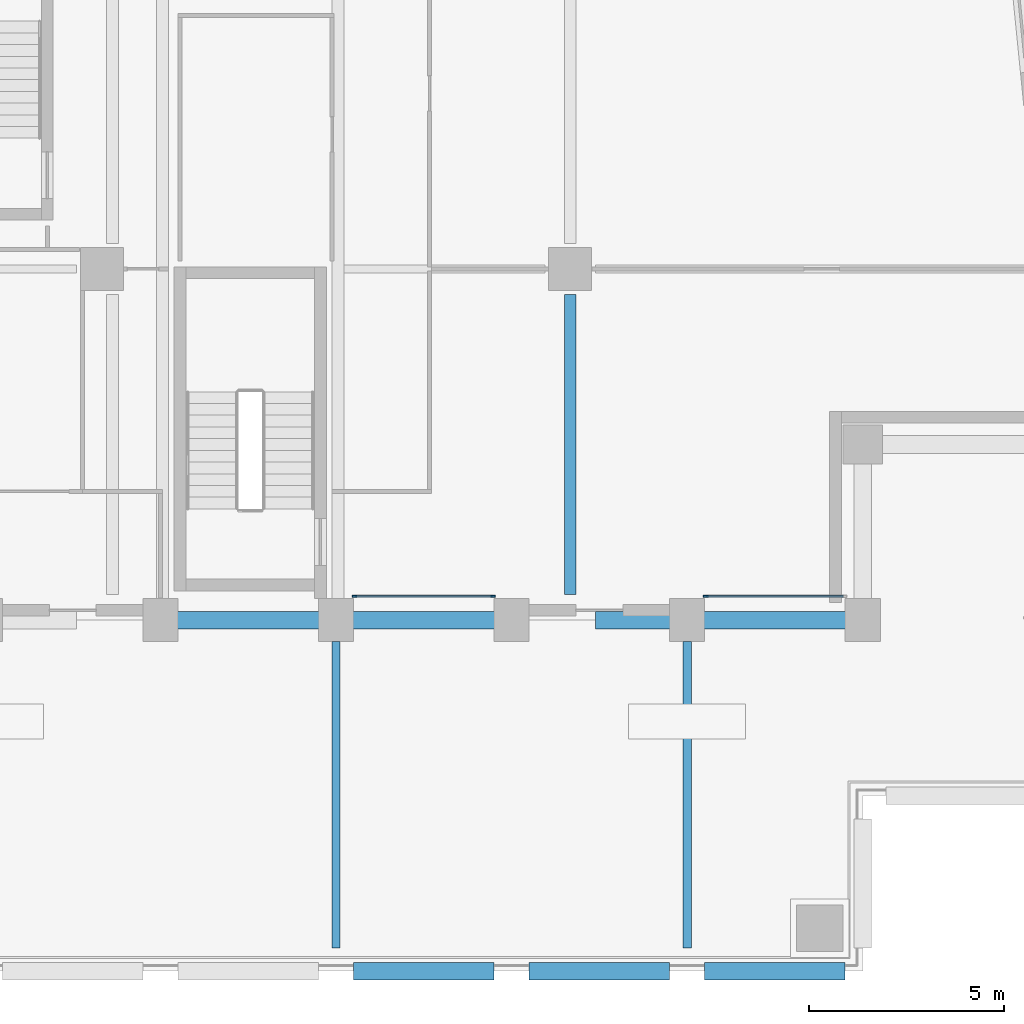
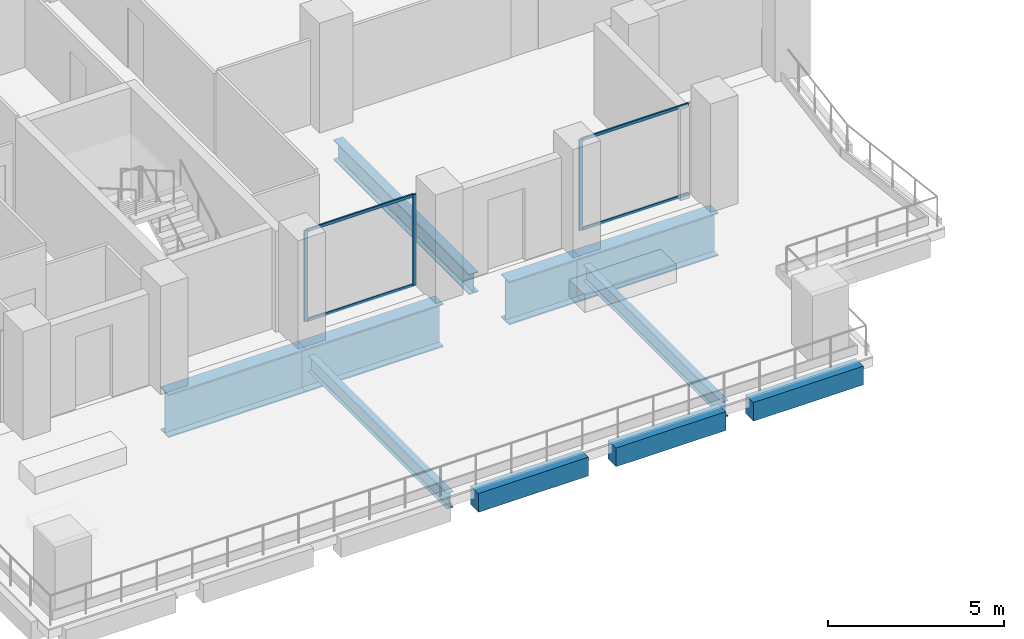
# One storey, part 3 of 18: 10 beams, 7 members, 2 elements without a shape of their own.
"""IFC4 building model written with IfcOpenShell, lengths in metres."""

from ifc_helpers import new_model, si_unit, direction, frame, origin, origin_2d, place, context, subcontext, project, spatial, rectangle, i_section, extrude, material, material_profile, profile_set, type_object, element, aggregate, save


model = new_model("IFC4")

# Units and contexts
model_context = context("Model", 3, precision=1e-05, world=origin(), true_north=direction((0.0, 1.0)))
body_context = subcontext(model_context, "Body", "Model", "MODEL_VIEW")
ifc_project = project(units=[si_unit("LENGTHUNIT", "METRE"), si_unit("AREAUNIT", "SQUARE_METRE"), si_unit("VOLUMEUNIT", "CUBIC_METRE"), si_unit("PLANEANGLEUNIT", "RADIAN"), si_unit("MASSUNIT", "GRAM", prefix="KILO")], contexts=[model_context])

# Site, building, storey
site_placement = place(None, origin())
site = spatial("IfcSite", under=ifc_project, at=site_placement, CompositionType="ELEMENT")
building_placement = place(site_placement, origin())
building = spatial("IfcBuilding", under=site, at=building_placement, Name="Brondeck Convention Tower", CompositionType="ELEMENT")
storey_placement = place(building_placement, frame((0.0, 0.0, 143.39990234375)))
storey = spatial("IfcBuildingStorey", under=building, at=storey_placement, Name="L34", CompositionType="ELEMENT", Elevation=143.39990234375)

# Curtain wall, members
ifc_material_1 = material(Name="Aluminium, bronze anodised", Category="aluminium")
curtain_wall_type = type_object("IfcCurtainWallType", Name="Terrace door screen curtain wall", PredefinedType="NOTDEFINED", material=ifc_material_1)
curtain_wall_1_placement = place(storey_placement, origin())
curtain_wall_1 = element("IfcCurtainWall", 1, at=curtain_wall_1_placement, inside=storey, type_object=curtain_wall_type, Name="ENV-CW6-L34-B-S9-04", PredefinedType="NOTDEFINED")
ifc_material_profile_1 = material_profile(ifc_material_1, rectangle(XDim=0.050048828125, YDim=0.1201171875, at=origin_2d()), Name="CW6 mullion")
ifc_profile_set_1 = profile_set([ifc_material_profile_1], Name="Aluminium, bronze anodised")
member_type_1 = type_object("IfcMemberType", Name="CW6 mullion", PredefinedType="MULLION", material=ifc_profile_set_1)
member_1_placement = place(storey_placement, frame((22.02490234375, 9.610107421875, 0.0), z_axis=(0.0, 0.0, 1.0), x_axis=(0.0, -1.0, 0.0)))
member_1 = element("IfcMember", 2, at=member_1_placement, type_object=member_type_1, Name="CW6 mullion 1", PredefinedType="MULLION", context=body_context, shape_type="SweptSolid", body=[
    extrude(rectangle(XDim=0.050048828125, YDim=0.1201171875, at=origin_2d()), origin(), (0.0, 0.0, 1.0), 3.150146484375),
])
member_2_placement = place(storey_placement, frame((18.47509765625, 9.610107421875, 0.0), z_axis=(0.0, 0.0, 1.0), x_axis=(0.0, -1.0, 0.0)))
member_2 = element("IfcMember", 3, at=member_2_placement, type_object=member_type_1, Name="CW6 mullion 2", PredefinedType="MULLION", context=body_context, shape_type="SweptSolid", body=[
    extrude(rectangle(XDim=0.050048828125, YDim=0.1201171875, at=origin_2d()), origin(), (0.0, 0.0, 1.0), 3.150146484375),
])

# Curtain wall, member
curtain_wall_2_placement = place(storey_placement, origin())
curtain_wall_2 = element("IfcCurtainWall", 4, at=curtain_wall_2_placement, inside=storey, type_object=curtain_wall_type, Name="ENV-CW6-L34-B-S9-06", PredefinedType="NOTDEFINED")
member_3_placement = place(storey_placement, frame((27.47509765625, 9.610107421875, 0.0), z_axis=(0.0, 0.0, 1.0), x_axis=(0.0, -1.0, 0.0)))
member_3 = element("IfcMember", 5, at=member_3_placement, type_object=member_type_1, Name="CW6 mullion 2", PredefinedType="MULLION", context=body_context, shape_type="SweptSolid", body=[
    extrude(rectangle(XDim=0.050048828125, YDim=0.1201171875, at=origin_2d()), origin(), (0.0, 0.0, 1.0), 3.150146484375),
])

# Member
ifc_material_profile_2 = material_profile(ifc_material_1, rectangle(XDim=0.050048828125, YDim=0.10009765625, at=origin_2d()), Name="CW6 transom")
ifc_profile_set_2 = profile_set([ifc_material_profile_2], Name="Aluminium, bronze anodised")
member_type_2 = type_object("IfcMemberType", Name="CW6 transom", PredefinedType="USERDEFINED", material=ifc_profile_set_2)
member_4_placement = place(storey_placement, frame((22.0, 9.610107421875, 0.025146484375), z_axis=(-1.0, 0.0, 0.0), x_axis=(0.0, -1.0, 0.0)))
member_4 = element("IfcMember", 6, at=member_4_placement, type_object=member_type_2, Name="CW6 transom 1.1", ObjectType="TRANSOM", PredefinedType="USERDEFINED", context=body_context, shape_type="SweptSolid", body=[
    extrude(rectangle(XDim=0.050048828125, YDim=0.10009765625, at=origin_2d()), origin(), (0.0, 0.0, 1.0), 3.5),
])

member_5_placement = place(storey_placement, frame((22.0, 9.610107421875, 3.125), z_axis=(-1.0, 0.0, 0.0), x_axis=(0.0, -1.0, 0.0)))
member_5 = element("IfcMember", 7, at=member_5_placement, type_object=member_type_2, Name="CW6 transom 1.2", ObjectType="TRANSOM", PredefinedType="USERDEFINED", context=body_context, shape_type="SweptSolid", body=[
    extrude(rectangle(XDim=0.050048828125, YDim=0.10009765625, at=origin_2d()), origin(), (0.0, 0.0, 1.0), 3.5),
])

aggregate(curtain_wall_1, [member_1, member_2, member_4, member_5])

member_6_placement = place(storey_placement, frame((31.0, 9.610107421875, 0.025146484375), z_axis=(-1.0, 0.0, 0.0), x_axis=(0.0, -1.0, 0.0)))
member_6 = element("IfcMember", 8, at=member_6_placement, type_object=member_type_2, Name="CW6 transom 1.1", ObjectType="TRANSOM", PredefinedType="USERDEFINED", context=body_context, shape_type="SweptSolid", body=[
    extrude(rectangle(XDim=0.050048828125, YDim=0.10009765625, at=origin_2d()), origin(), (0.0, 0.0, 1.0), 3.5),
])

member_7_placement = place(storey_placement, frame((31.0, 9.610107421875, 3.125), z_axis=(-1.0, 0.0, 0.0), x_axis=(0.0, -1.0, 0.0)))
member_7 = element("IfcMember", 9, at=member_7_placement, type_object=member_type_2, Name="CW6 transom 1.2", ObjectType="TRANSOM", PredefinedType="USERDEFINED", context=body_context, shape_type="SweptSolid", body=[
    extrude(rectangle(XDim=0.050048828125, YDim=0.10009765625, at=origin_2d()), origin(), (0.0, 0.0, 1.0), 3.5),
])

aggregate(curtain_wall_2, [member_3, member_6, member_7])

# Beams
ifc_material_2 = material(Name="Steel S355", Category="steel")
ifc_material_profile_3 = material_profile(ifc_material_2, i_section(OverallWidth=0.2099609375, OverallDepth=0.550048828125, WebThickness=0.010986328125, FlangeThickness=0.01708984375, FilletRadius=0.02392578125, at=origin_2d()), Name="IPE 550")
ifc_profile_set_3 = profile_set([ifc_material_profile_3], Name="Steel S355")
beam_type_1 = type_object("IfcBeamType", Name="Floor beam IPE 550", PredefinedType="BEAM", material=ifc_profile_set_3)
for number, where, z_axis, x_axis, name in (
    (10, (18.0, 0.60009765625, -0.574951171875), (0.0, 1.0, 0.0), (-1.0, 0.0, 0.0), "STR-FB-L34T1-002"),
    (11, (27.0, 0.60009765625, -0.574951171875), (0.0, 1.0, 0.0), (-1.0, 0.0, 0.0), "STR-FB-L34T1-003"),
):
    element("IfcBeam", number, at=place(storey_placement, frame(where, z_axis=z_axis, x_axis=x_axis)), inside=storey, type_object=beam_type_1, Name=name, PredefinedType="BEAM", context=body_context, shape_type="SweptSolid", body=[
        extrude(i_section(OverallWidth=0.2099609375, OverallDepth=0.550048828125, WebThickness=0.010986328125, FlangeThickness=0.01708984375, FilletRadius=0.02392578125, at=origin_2d()), origin(), (0.0, 0.0, 1.0), 7.849853515625),
    ])
ifc_material_profile_4 = material_profile(ifc_material_2, i_section(OverallWidth=0.300048828125, OverallDepth=0.699951171875, WebThickness=0.01708984375, FlangeThickness=0.031982421875, FilletRadius=0.027099609375, at=origin_2d()), Name="HEB 700")
ifc_profile_set_4 = profile_set([ifc_material_profile_4], Name="Steel S355")
beam_type_2 = type_object("IfcBeamType", Name="Girder HEB 700", PredefinedType="BEAM", material=ifc_profile_set_4)
beam_1_placement = place(storey_placement, frame((24.0, 17.35009765625, -0.64990234375), z_axis=(0.0, -1.0, 0.0), x_axis=(1.0, 0.0, 0.0)))
element("IfcBeam", 12, at=beam_1_placement, inside=storey, type_object=beam_type_2, Name="STR-GR-L34-016", PredefinedType="BEAM", context=body_context, shape_type="SweptSolid", body=[
    extrude(i_section(OverallWidth=0.300048828125, OverallDepth=0.699951171875, WebThickness=0.01708984375, FlangeThickness=0.031982421875, FilletRadius=0.027099609375, at=origin_2d()), origin(), (0.0, 0.0, 1.0), 7.7001953125),
])
ifc_material_3 = material(Name="Concrete C70/85", Category="concrete")
ifc_material_profile_5 = material_profile(ifc_material_3, rectangle(XDim=0.449951171875, YDim=0.64990234375, at=origin_2d()), Name="Precast spandrel 450x650 Concrete C70/85")
ifc_profile_set_5 = profile_set([ifc_material_profile_5], Name="Concrete C70/85")
beam_type_3 = type_object("IfcBeamType", Name="Precast spandrel 450x650 Concrete C70/85", PredefinedType="SPANDREL", material=ifc_profile_set_5)
for number, where, z_axis, x_axis, name in (
    (13, (31.050048828125, 0.0, -0.324951171875), (-1.0, 0.0, 0.0), (0.0, -1.0, 0.0), "STR-SP-L34T1-004"),
    (14, (26.550048828125, 0.0, -0.324951171875), (-1.0, 0.0, 0.0), (0.0, -1.0, 0.0), "STR-SP-L34T1-005"),
    (15, (22.050048828125, 0.0, -0.324951171875), (-1.0, 0.0, 0.0), (0.0, -1.0, 0.0), "STR-SP-L34T1-006"),
):
    element("IfcBeam", number, at=place(storey_placement, frame(where, z_axis=z_axis, x_axis=x_axis)), inside=storey, type_object=beam_type_3, Name=name, PredefinedType="SPANDREL", context=body_context, shape_type="SweptSolid", body=[
        extrude(rectangle(XDim=0.449951171875, YDim=0.64990234375, at=origin_2d()), origin(), (0.0, 0.0, 1.0), 3.60009765625),
    ])
ifc_material_4 = material(Name="Steel S460", Category="steel")
ifc_material_profile_6 = material_profile(ifc_material_4, i_section(OverallWidth=0.449951171875, OverallDepth=1.5, WebThickness=0.02490234375, FlangeThickness=0.044921875, at=origin_2d()), Name="PG 1500x450")
ifc_profile_set_6 = profile_set([ifc_material_profile_6], Name="Steel S460")
beam_type_4 = type_object("IfcBeamType", Name="Transfer girder PG 1500x450", PredefinedType="BEAM", material=ifc_profile_set_6)
for number, where, z_axis, x_axis, name in (
    (16, (13.5, 9.0, -1.0498046875), (1.0, 0.0, 0.0), (0.0, 1.0, 0.0), "Setback transfer girder PG-L34-5"),
    (17, (18.0, 9.0, -1.0498046875), (1.0, 0.0, 0.0), (0.0, 1.0, 0.0), "Setback transfer girder PG-L34-6"),
):
    element("IfcBeam", number, at=place(storey_placement, frame(where, z_axis=z_axis, x_axis=x_axis)), inside=storey, type_object=beam_type_4, Name=name, PredefinedType="BEAM", context=body_context, shape_type="SweptSolid", body=[
        extrude(i_section(OverallWidth=0.449951171875, OverallDepth=1.5, WebThickness=0.02490234375, FlangeThickness=0.044921875, at=origin_2d()), origin(), (0.0, 0.0, 1.0), 4.5),
    ])
beam_2_placement = place(storey_placement, frame((24.64990234375, 9.0, -1.0498046875), z_axis=(1.0, 0.0, 0.0), x_axis=(0.0, 1.0, 0.0)))
element("IfcBeam", 18, at=beam_2_placement, inside=storey, type_object=beam_type_4, Name="Setback transfer girder PG-L34-7", PredefinedType="BEAM", context=body_context, shape_type="SweptSolid", body=[
    extrude(i_section(OverallWidth=0.449951171875, OverallDepth=1.5, WebThickness=0.02490234375, FlangeThickness=0.044921875, at=origin_2d()), origin(), (0.0, 0.0, 1.0), 2.35009765625),
])
beam_3_placement = place(storey_placement, frame((27.0, 9.0, -1.0498046875), z_axis=(1.0, 0.0, 0.0), x_axis=(0.0, 1.0, 0.0)))
element("IfcBeam", 19, at=beam_3_placement, inside=storey, type_object=beam_type_4, Name="Setback transfer girder PG-L34-8", PredefinedType="BEAM", context=body_context, shape_type="SweptSolid", body=[
    extrude(i_section(OverallWidth=0.449951171875, OverallDepth=1.5, WebThickness=0.02490234375, FlangeThickness=0.044921875, at=origin_2d()), origin(), (0.0, 0.0, 1.0), 4.5),
])

save(model, "model.ifc")
